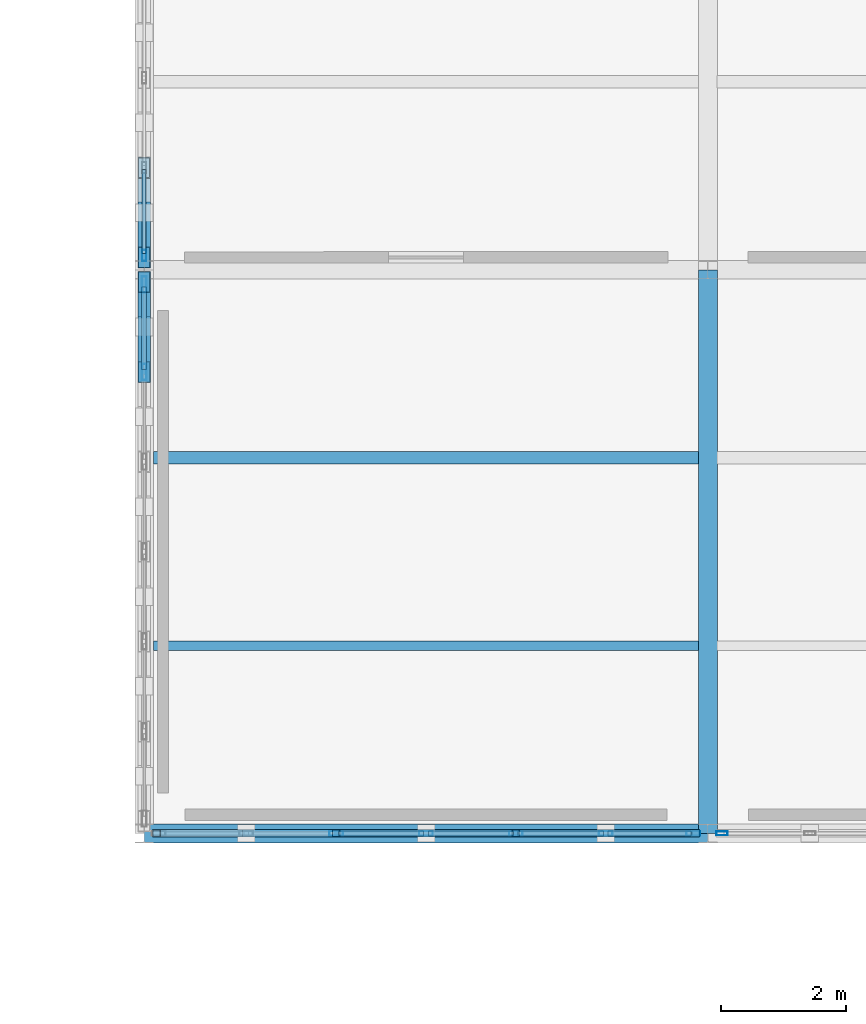
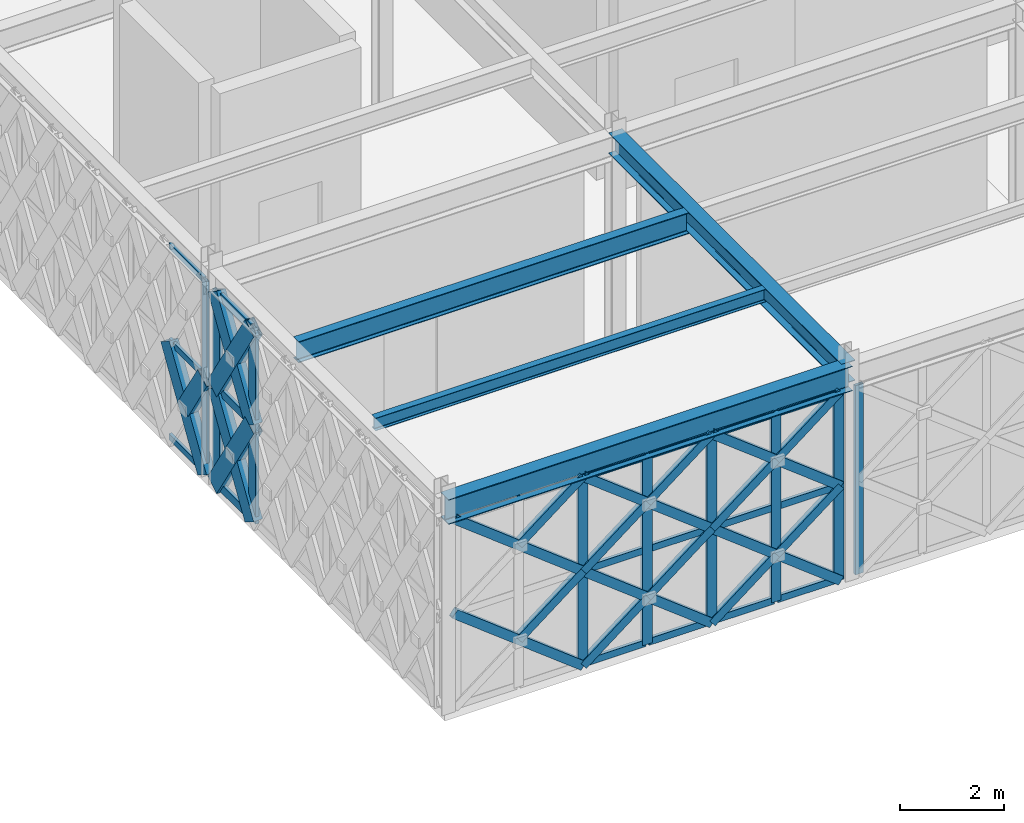
# One storey, part 78 of 155: 51 members, 4 beams, 4 elements without a shape of their own.
"""IFC4 building model written with IfcOpenShell, lengths in metres."""

from ifc_helpers import new_model, si_unit, direction, frame, origin, origin_2d, place, context, subcontext, project, spatial, hollow_rectangle, i_section, extrude, material, material_profile, profile_set, type_object, element, aggregate, save


model = new_model("IFC4")

# Units and contexts
model_context = context("Model", 3, precision=1e-05, world=origin(), true_north=direction((0.0, 1.0)))
body_context = subcontext(model_context, "Body", "Model", "MODEL_VIEW")
ifc_project = project(units=[si_unit("LENGTHUNIT", "METRE"), si_unit("AREAUNIT", "SQUARE_METRE"), si_unit("VOLUMEUNIT", "CUBIC_METRE"), si_unit("PLANEANGLEUNIT", "RADIAN"), si_unit("MASSUNIT", "GRAM", prefix="KILO")], contexts=[model_context])

# Site, building, storey
site_placement = place(None, origin())
site = spatial("IfcSite", under=ifc_project, at=site_placement, CompositionType="ELEMENT")
building_placement = place(site_placement, origin())
building = spatial("IfcBuilding", under=site, at=building_placement, Name="Haizhuo Lancet Aquarium", CompositionType="ELEMENT")
storey_placement = place(building_placement, frame((0.0, 0.0, 10.800048828125)))
storey = spatial("IfcBuildingStorey", under=building, at=storey_placement, Name="L02", CompositionType="ELEMENT", Elevation=10.800048828125)

# Beams
ifc_material_1 = material(Name="Steel S355", Category="steel")
ifc_material_profile_1 = material_profile(ifc_material_1, i_section(OverallWidth=0.300048828125, OverallDepth=0.488037109375, WebThickness=0.010986328125, FlangeThickness=0.01806640625, FilletRadius=0.02392578125, at=origin_2d()), Name="HM 488x300x11x18")
ifc_profile_set_1 = profile_set([ifc_material_profile_1], Name="Steel S355")
beam_type_1 = type_object("IfcBeamType", Name="BM-ST-HM488", PredefinedType="BEAM", material=ifc_profile_set_1)
beam_1_placement = place(storey_placement, frame((45.0, 9.0, 4.805908203125), z_axis=(0.0, 1.0, 0.0), x_axis=(-1.0, 0.0, 0.0)))
element("IfcBeam", 1, at=beam_1_placement, inside=storey, type_object=beam_type_1, Name="L02 V7 primary girder BM-L02-V7-008", PredefinedType="BEAM", context=body_context, shape_type="SweptSolid", body=[
    extrude(i_section(OverallWidth=0.300048828125, OverallDepth=0.488037109375, WebThickness=0.010986328125, FlangeThickness=0.01806640625, FilletRadius=0.02392578125, at=origin_2d()), origin(), (0.0, 0.0, 1.0), 9.0),
])
ifc_material_profile_2 = material_profile(ifc_material_1, i_section(OverallWidth=0.300048828125, OverallDepth=0.587890625, WebThickness=0.011962890625, FlangeThickness=0.02001953125, FilletRadius=0.02587890625, at=origin_2d()), Name="HM 588x300x12x20")
ifc_profile_set_2 = profile_set([ifc_material_profile_2], Name="Steel S355")
beam_type_2 = type_object("IfcBeamType", Name="BM-ST-HM588", PredefinedType="BEAM", material=ifc_profile_set_2)
beam_2_placement = place(storey_placement, frame((36.0, 9.0, 4.755859375), z_axis=(1.0, 0.0, 0.0), x_axis=(0.0, 1.0, 0.0)))
element("IfcBeam", 2, at=beam_2_placement, inside=storey, type_object=beam_type_2, Name="L02 V7 primary girder BM-L02-V7-002", PredefinedType="BEAM", context=body_context, shape_type="SweptSolid", body=[
    extrude(i_section(OverallWidth=0.300048828125, OverallDepth=0.587890625, WebThickness=0.011962890625, FlangeThickness=0.02001953125, FilletRadius=0.02587890625, at=origin_2d()), origin(), (0.0, 0.0, 1.0), 9.0),
])

# Curtain wall, member
ifc_material_2 = material(Name="Aluminium 6063-T6", Category="aluminium")
curtain_wall_type_1 = type_object("IfcCurtainWallType", Name="CWO-8610x4460", PredefinedType="NOTDEFINED", material=ifc_material_2)
curtain_wall_1_placement = place(storey_placement, origin())
curtain_wall_1 = element("IfcCurtainWall", 3, at=curtain_wall_1_placement, inside=storey, type_object=curtain_wall_type_1, Name="L02 curtain wall CW-V7-L02-307", PredefinedType="NOTDEFINED")
ifc_material_profile_3 = material_profile(ifc_material_2, hollow_rectangle(XDim=0.06494140625, YDim=0.179931640625, WallThickness=0.00390625, at=origin_2d()), Name="ALU-M 65x180x4")
ifc_profile_set_3 = profile_set([ifc_material_profile_3], Name="Aluminium 6063-T6")
member_type_1 = type_object("IfcMemberType", Name="CW-MUL-1", PredefinedType="MULLION", material=ifc_profile_set_3)
member_1_placement = place(storey_placement, frame((45.22705078125, 9.0, 0.0), z_axis=(0.0, 0.0, 1.0), x_axis=(0.0, -1.0, 0.0)))
member_1 = element("IfcMember", 4, at=member_1_placement, type_object=member_type_1, Name="CWO-86x44 mullion 7", PredefinedType="MULLION", context=body_context, shape_type="SweptSolid", body=[
    extrude(hollow_rectangle(XDim=0.06494140625, YDim=0.179931640625, WallThickness=0.00390625, at=origin_2d()), origin(), (0.0, 0.0, 1.0), 4.4619140625),
])
aggregate(curtain_wall_1, [member_1])

curtain_wall_type_2 = type_object("IfcCurtainWallType", Name="CWD-8610x4560", PredefinedType="NOTDEFINED", material=ifc_material_2)
curtain_wall_2_placement = place(storey_placement, origin())
curtain_wall_2 = element("IfcCurtainWall", 5, at=curtain_wall_2_placement, inside=storey, type_object=curtain_wall_type_2, Name="L02 curtain wall CW-V7-L02-310", PredefinedType="NOTDEFINED")
member_2_placement = place(storey_placement, frame((36.0, 18.22705078125, 0.0), z_axis=(0.0, 0.0, 1.0), x_axis=(-1.0, 0.0, 0.0)))
member_2 = element("IfcMember", 6, at=member_2_placement, type_object=member_type_1, Name="CWD-86x45 mullion 1", PredefinedType="MULLION", context=body_context, shape_type="SweptSolid", body=[
    extrude(hollow_rectangle(XDim=0.06494140625, YDim=0.179931640625, WallThickness=0.00390625, at=origin_2d()), origin(), (0.0, 0.0, 1.0), 4.56201171875),
])

# Curtain wall, members
curtain_wall_3_placement = place(storey_placement, origin())
curtain_wall_3 = element("IfcCurtainWall", 7, at=curtain_wall_3_placement, inside=storey, type_object=curtain_wall_type_1, Name="L02 curtain wall CW-V7-L02-308", PredefinedType="NOTDEFINED")
ifc_material_profile_4 = material_profile(ifc_material_2, hollow_rectangle(XDim=0.074951171875, YDim=0.219970703125, WallThickness=0.0048828125, at=origin_2d()), Name="ALU-M 75x220x5")
ifc_profile_set_4 = profile_set([ifc_material_profile_4], Name="Aluminium 6063-T6")
member_type_2 = type_object("IfcMemberType", Name="CW-MUL-2", PredefinedType="MULLION", material=ifc_profile_set_4)
member_3_placement = place(storey_placement, frame((44.76708984375, 9.0, 0.0), z_axis=(0.0, 0.0, 1.0), x_axis=(0.0, -1.0, 0.0)))
member_3 = element("IfcMember", 8, at=member_3_placement, type_object=member_type_2, Name="CWO-86x44 mullion 1", PredefinedType="MULLION", context=body_context, shape_type="SweptSolid", body=[
    extrude(hollow_rectangle(XDim=0.074951171875, YDim=0.219970703125, WallThickness=0.0048828125, at=origin_2d()), origin(), (0.0, 0.0, 1.0), 4.4619140625),
])
member_4_placement = place(storey_placement, frame((43.3701171875, 9.0, 0.0), z_axis=(0.0, 0.0, 1.0), x_axis=(0.0, -1.0, 0.0)))
member_4 = element("IfcMember", 9, at=member_4_placement, type_object=member_type_2, Name="CWO-86x44 mullion 2", PredefinedType="MULLION", context=body_context, shape_type="SweptSolid", body=[
    extrude(hollow_rectangle(XDim=0.074951171875, YDim=0.219970703125, WallThickness=0.0048828125, at=origin_2d()), origin(), (0.0, 0.0, 1.0), 4.4619140625),
])
member_5_placement = place(storey_placement, frame((41.93505859375, 9.0, 0.0), z_axis=(0.0, 0.0, 1.0), x_axis=(0.0, -1.0, 0.0)))
member_5 = element("IfcMember", 10, at=member_5_placement, type_object=member_type_2, Name="CWO-86x44 mullion 3", PredefinedType="MULLION", context=body_context, shape_type="SweptSolid", body=[
    extrude(hollow_rectangle(XDim=0.074951171875, YDim=0.219970703125, WallThickness=0.0048828125, at=origin_2d()), origin(), (0.0, 0.0, 1.0), 4.4619140625),
])
member_6_placement = place(storey_placement, frame((40.5, 9.0, 0.0), z_axis=(0.0, 0.0, 1.0), x_axis=(0.0, -1.0, 0.0)))
member_6 = element("IfcMember", 11, at=member_6_placement, type_object=member_type_2, Name="CWO-86x44 mullion 4", PredefinedType="MULLION", context=body_context, shape_type="SweptSolid", body=[
    extrude(hollow_rectangle(XDim=0.074951171875, YDim=0.219970703125, WallThickness=0.0048828125, at=origin_2d()), origin(), (0.0, 0.0, 1.0), 4.4619140625),
])
member_7_placement = place(storey_placement, frame((39.06494140625, 9.0, 0.0), z_axis=(0.0, 0.0, 1.0), x_axis=(0.0, -1.0, 0.0)))
member_7 = element("IfcMember", 12, at=member_7_placement, type_object=member_type_2, Name="CWO-86x44 mullion 5", PredefinedType="MULLION", context=body_context, shape_type="SweptSolid", body=[
    extrude(hollow_rectangle(XDim=0.074951171875, YDim=0.219970703125, WallThickness=0.0048828125, at=origin_2d()), origin(), (0.0, 0.0, 1.0), 4.4619140625),
])

curtain_wall_4_placement = place(storey_placement, origin())
curtain_wall_4 = element("IfcCurtainWall", 13, at=curtain_wall_4_placement, inside=storey, type_object=curtain_wall_type_2, Name="L02 curtain wall CW-V7-L02-309", PredefinedType="NOTDEFINED")
ifc_material_profile_5 = material_profile(ifc_material_2, hollow_rectangle(XDim=0.080078125, YDim=0.260009765625, WallThickness=0.0048828125, at=origin_2d()), Name="ALU-M 80x260x5")
ifc_profile_set_5 = profile_set([ifc_material_profile_5], Name="Aluminium 6063-T6")
member_type_3 = type_object("IfcMemberType", Name="CW-MUL-3", PredefinedType="MULLION", material=ifc_profile_set_5)
member_8_placement = place(storey_placement, frame((36.0, 16.3701171875, 0.0), z_axis=(0.0, 0.0, 1.0), x_axis=(-1.0, 0.0, 0.0)))
member_8 = element("IfcMember", 14, at=member_8_placement, type_object=member_type_3, Name="CWD-86x45 mullion 6", PredefinedType="MULLION", context=body_context, shape_type="SweptSolid", body=[
    extrude(hollow_rectangle(XDim=0.080078125, YDim=0.260009765625, WallThickness=0.0048828125, at=origin_2d()), origin(), (0.0, 0.0, 1.0), 4.56201171875),
])
member_9_placement = place(storey_placement, frame((36.0, 17.764892578125, 0.0), z_axis=(0.0, 0.0, 1.0), x_axis=(-1.0, 0.0, 0.0)))
member_9 = element("IfcMember", 15, at=member_9_placement, type_object=member_type_3, Name="CWD-86x45 mullion 7", PredefinedType="MULLION", context=body_context, shape_type="SweptSolid", body=[
    extrude(hollow_rectangle(XDim=0.080078125, YDim=0.260009765625, WallThickness=0.0048828125, at=origin_2d()), origin(), (0.0, 0.0, 1.0), 4.56201171875),
])

# Member
ifc_material_profile_6 = material_profile(ifc_material_2, hollow_rectangle(XDim=0.06494140625, YDim=0.139892578125, WallThickness=0.00390625, at=origin_2d()), Name="ALU-T 65x140x4")
ifc_profile_set_6 = profile_set([ifc_material_profile_6], Name="Aluminium 6063-T6")
member_type_4 = type_object("IfcMemberType", Name="CW-TRN-1", PredefinedType="NOTDEFINED", material=ifc_profile_set_6)
member_10_placement = place(storey_placement, frame((36.0, 18.260009765625, 0.032958984375), z_axis=(0.0, 1.0, 0.0), x_axis=(-1.0, 0.0, 0.0)))
member_10 = element("IfcMember", 16, at=member_10_placement, type_object=member_type_4, Name="CWD-86x45 transom 1.1", ObjectType="TRANSOM", PredefinedType="USERDEFINED", context=body_context, shape_type="SweptSolid", body=[
    extrude(hollow_rectangle(XDim=0.06494140625, YDim=0.139892578125, WallThickness=0.00390625, at=origin_2d()), origin(), (0.0, 0.0, 1.0), 1.337890625),
])

member_11_placement = place(storey_placement, frame((36.0, 18.260009765625, 2.281005859375), z_axis=(0.0, 1.0, 0.0), x_axis=(-1.0, 0.0, 0.0)))
member_11 = element("IfcMember", 17, at=member_11_placement, type_object=member_type_4, Name="CWD-86x45 transom 1.2", ObjectType="TRANSOM", PredefinedType="USERDEFINED", context=body_context, shape_type="SweptSolid", body=[
    extrude(hollow_rectangle(XDim=0.06494140625, YDim=0.139892578125, WallThickness=0.00390625, at=origin_2d()), origin(), (0.0, 0.0, 1.0), 1.337890625),
])

member_12_placement = place(storey_placement, frame((36.0, 18.260009765625, 4.529052734375), z_axis=(0.0, 1.0, 0.0), x_axis=(-1.0, 0.0, 0.0)))
member_12 = element("IfcMember", 18, at=member_12_placement, type_object=member_type_4, Name="CWD-86x45 transom 1.3", ObjectType="TRANSOM", PredefinedType="USERDEFINED", context=body_context, shape_type="SweptSolid", body=[
    extrude(hollow_rectangle(XDim=0.06494140625, YDim=0.139892578125, WallThickness=0.00390625, at=origin_2d()), origin(), (0.0, 0.0, 1.0), 1.337890625),
])

aggregate(curtain_wall_2, [member_2, member_10, member_11, member_12])

ifc_material_profile_7 = material_profile(ifc_material_2, hollow_rectangle(XDim=0.074951171875, YDim=0.159912109375, WallThickness=0.00390625, at=origin_2d()), Name="ALU-T 75x160x4")
ifc_profile_set_7 = profile_set([ifc_material_profile_7], Name="Aluminium 6063-T6")
member_type_5 = type_object("IfcMemberType", Name="CW-TRN-2", PredefinedType="NOTDEFINED", material=ifc_profile_set_7)
member_13_placement = place(storey_placement, frame((44.72998046875, 9.0, 0.037841796875), z_axis=(-1.0, 0.0, 0.0), x_axis=(0.0, -1.0, 0.0)))
member_13 = element("IfcMember", 19, at=member_13_placement, type_object=member_type_5, Name="CWO-86x44 transom 1.1", ObjectType="TRANSOM", PredefinedType="USERDEFINED", context=body_context, shape_type="SweptSolid", body=[
    extrude(hollow_rectangle(XDim=0.074951171875, YDim=0.159912109375, WallThickness=0.00390625, at=origin_2d()), origin(), (0.0, 0.0, 1.0), 1.322998046875),
])

member_14_placement = place(storey_placement, frame((44.72998046875, 9.0, 2.23095703125), z_axis=(-1.0, 0.0, 0.0), x_axis=(0.0, -1.0, 0.0)))
member_14 = element("IfcMember", 20, at=member_14_placement, type_object=member_type_5, Name="CWO-86x44 transom 1.2", ObjectType="TRANSOM", PredefinedType="USERDEFINED", context=body_context, shape_type="SweptSolid", body=[
    extrude(hollow_rectangle(XDim=0.074951171875, YDim=0.159912109375, WallThickness=0.00390625, at=origin_2d()), origin(), (0.0, 0.0, 1.0), 1.322998046875),
])

member_15_placement = place(storey_placement, frame((44.72998046875, 9.0, 4.425048828125), z_axis=(-1.0, 0.0, 0.0), x_axis=(0.0, -1.0, 0.0)))
member_15 = element("IfcMember", 21, at=member_15_placement, type_object=member_type_5, Name="CWO-86x44 transom 1.3", ObjectType="TRANSOM", PredefinedType="USERDEFINED", context=body_context, shape_type="SweptSolid", body=[
    extrude(hollow_rectangle(XDim=0.074951171875, YDim=0.159912109375, WallThickness=0.00390625, at=origin_2d()), origin(), (0.0, 0.0, 1.0), 1.322998046875),
])

member_16_placement = place(storey_placement, frame((43.3330078125, 9.0, 0.037841796875), z_axis=(-1.0, 0.0, 0.0), x_axis=(0.0, -1.0, 0.0)))
member_16 = element("IfcMember", 22, at=member_16_placement, type_object=member_type_5, Name="CWO-86x44 transom 2.1", ObjectType="TRANSOM", PredefinedType="USERDEFINED", context=body_context, shape_type="SweptSolid", body=[
    extrude(hollow_rectangle(XDim=0.074951171875, YDim=0.159912109375, WallThickness=0.00390625, at=origin_2d()), origin(), (0.0, 0.0, 1.0), 1.361083984375),
])

member_17_placement = place(storey_placement, frame((43.3330078125, 9.0, 2.23095703125), z_axis=(-1.0, 0.0, 0.0), x_axis=(0.0, -1.0, 0.0)))
member_17 = element("IfcMember", 23, at=member_17_placement, type_object=member_type_5, Name="CWO-86x44 transom 2.2", ObjectType="TRANSOM", PredefinedType="USERDEFINED", context=body_context, shape_type="SweptSolid", body=[
    extrude(hollow_rectangle(XDim=0.074951171875, YDim=0.159912109375, WallThickness=0.00390625, at=origin_2d()), origin(), (0.0, 0.0, 1.0), 1.361083984375),
])

member_18_placement = place(storey_placement, frame((43.3330078125, 9.0, 4.425048828125), z_axis=(-1.0, 0.0, 0.0), x_axis=(0.0, -1.0, 0.0)))
member_18 = element("IfcMember", 24, at=member_18_placement, type_object=member_type_5, Name="CWO-86x44 transom 2.3", ObjectType="TRANSOM", PredefinedType="USERDEFINED", context=body_context, shape_type="SweptSolid", body=[
    extrude(hollow_rectangle(XDim=0.074951171875, YDim=0.159912109375, WallThickness=0.00390625, at=origin_2d()), origin(), (0.0, 0.0, 1.0), 1.361083984375),
])

member_19_placement = place(storey_placement, frame((41.89794921875, 9.0, 0.037841796875), z_axis=(-1.0, 0.0, 0.0), x_axis=(0.0, -1.0, 0.0)))
member_19 = element("IfcMember", 25, at=member_19_placement, type_object=member_type_5, Name="CWO-86x44 transom 3.1", ObjectType="TRANSOM", PredefinedType="USERDEFINED", context=body_context, shape_type="SweptSolid", body=[
    extrude(hollow_rectangle(XDim=0.074951171875, YDim=0.159912109375, WallThickness=0.00390625, at=origin_2d()), origin(), (0.0, 0.0, 1.0), 1.35986328125),
])

member_20_placement = place(storey_placement, frame((41.89794921875, 9.0, 2.23095703125), z_axis=(-1.0, 0.0, 0.0), x_axis=(0.0, -1.0, 0.0)))
member_20 = element("IfcMember", 26, at=member_20_placement, type_object=member_type_5, Name="CWO-86x44 transom 3.2", ObjectType="TRANSOM", PredefinedType="USERDEFINED", context=body_context, shape_type="SweptSolid", body=[
    extrude(hollow_rectangle(XDim=0.074951171875, YDim=0.159912109375, WallThickness=0.00390625, at=origin_2d()), origin(), (0.0, 0.0, 1.0), 1.35986328125),
])

member_21_placement = place(storey_placement, frame((41.89794921875, 9.0, 4.425048828125), z_axis=(-1.0, 0.0, 0.0), x_axis=(0.0, -1.0, 0.0)))
member_21 = element("IfcMember", 27, at=member_21_placement, type_object=member_type_5, Name="CWO-86x44 transom 3.3", ObjectType="TRANSOM", PredefinedType="USERDEFINED", context=body_context, shape_type="SweptSolid", body=[
    extrude(hollow_rectangle(XDim=0.074951171875, YDim=0.159912109375, WallThickness=0.00390625, at=origin_2d()), origin(), (0.0, 0.0, 1.0), 1.35986328125),
])

member_22_placement = place(storey_placement, frame((40.4619140625, 9.0, 0.037841796875), z_axis=(-1.0, 0.0, 0.0), x_axis=(0.0, -1.0, 0.0)))
member_22 = element("IfcMember", 28, at=member_22_placement, type_object=member_type_5, Name="CWO-86x44 transom 4.1", ObjectType="TRANSOM", PredefinedType="USERDEFINED", context=body_context, shape_type="SweptSolid", body=[
    extrude(hollow_rectangle(XDim=0.074951171875, YDim=0.159912109375, WallThickness=0.00390625, at=origin_2d()), origin(), (0.0, 0.0, 1.0), 1.35986328125),
])

member_23_placement = place(storey_placement, frame((40.4619140625, 9.0, 2.23095703125), z_axis=(-1.0, 0.0, 0.0), x_axis=(0.0, -1.0, 0.0)))
member_23 = element("IfcMember", 29, at=member_23_placement, type_object=member_type_5, Name="CWO-86x44 transom 4.2", ObjectType="TRANSOM", PredefinedType="USERDEFINED", context=body_context, shape_type="SweptSolid", body=[
    extrude(hollow_rectangle(XDim=0.074951171875, YDim=0.159912109375, WallThickness=0.00390625, at=origin_2d()), origin(), (0.0, 0.0, 1.0), 1.35986328125),
])

member_24_placement = place(storey_placement, frame((40.4619140625, 9.0, 4.425048828125), z_axis=(-1.0, 0.0, 0.0), x_axis=(0.0, -1.0, 0.0)))
member_24 = element("IfcMember", 30, at=member_24_placement, type_object=member_type_5, Name="CWO-86x44 transom 4.3", ObjectType="TRANSOM", PredefinedType="USERDEFINED", context=body_context, shape_type="SweptSolid", body=[
    extrude(hollow_rectangle(XDim=0.074951171875, YDim=0.159912109375, WallThickness=0.00390625, at=origin_2d()), origin(), (0.0, 0.0, 1.0), 1.35986328125),
])

aggregate(curtain_wall_3, [member_3, member_4, member_5, member_6, member_7, member_13, member_14, member_15, member_16, member_17, member_18, member_19, member_20, member_21, member_22, member_23, member_24])

ifc_material_profile_8 = material_profile(ifc_material_2, hollow_rectangle(XDim=0.080078125, YDim=0.18994140625, WallThickness=0.0048828125, at=origin_2d()), Name="ALU-T 80x190x5")
ifc_profile_set_8 = profile_set([ifc_material_profile_8], Name="Aluminium 6063-T6")
member_type_6 = type_object("IfcMemberType", Name="CW-TRN-3", PredefinedType="NOTDEFINED", material=ifc_profile_set_8)
member_25_placement = place(storey_placement, frame((36.0, 16.409912109375, 0.0400390625), z_axis=(0.0, 1.0, 0.0), x_axis=(-1.0, 0.0, 0.0)))
member_25 = element("IfcMember", 31, at=member_25_placement, type_object=member_type_6, Name="CWD-86x45 transom 6.1", ObjectType="TRANSOM", PredefinedType="USERDEFINED", context=body_context, shape_type="SweptSolid", body=[
    extrude(hollow_rectangle(XDim=0.080078125, YDim=0.18994140625, WallThickness=0.0048828125, at=origin_2d()), origin(), (0.0, 0.0, 1.0), 1.315185546875),
])

member_26_placement = place(storey_placement, frame((36.0, 16.409912109375, 2.281005859375), z_axis=(0.0, 1.0, 0.0), x_axis=(-1.0, 0.0, 0.0)))
member_26 = element("IfcMember", 32, at=member_26_placement, type_object=member_type_6, Name="CWD-86x45 transom 6.2", ObjectType="TRANSOM", PredefinedType="USERDEFINED", context=body_context, shape_type="SweptSolid", body=[
    extrude(hollow_rectangle(XDim=0.080078125, YDim=0.18994140625, WallThickness=0.0048828125, at=origin_2d()), origin(), (0.0, 0.0, 1.0), 1.315185546875),
])

member_27_placement = place(storey_placement, frame((36.0, 16.409912109375, 4.52197265625), z_axis=(0.0, 1.0, 0.0), x_axis=(-1.0, 0.0, 0.0)))
member_27 = element("IfcMember", 33, at=member_27_placement, type_object=member_type_6, Name="CWD-86x45 transom 6.3", ObjectType="TRANSOM", PredefinedType="USERDEFINED", context=body_context, shape_type="SweptSolid", body=[
    extrude(hollow_rectangle(XDim=0.080078125, YDim=0.18994140625, WallThickness=0.0048828125, at=origin_2d()), origin(), (0.0, 0.0, 1.0), 1.315185546875),
])

aggregate(curtain_wall_4, [member_8, member_9, member_25, member_26, member_27])

# Beams
ifc_material_profile_9 = material_profile(ifc_material_1, i_section(OverallWidth=0.14990234375, OverallDepth=0.300048828125, WebThickness=0.006591796875, FlangeThickness=0.009033203125, FilletRadius=0.012939453125, at=origin_2d()), Name="HN 300x150x6.5x9")
ifc_profile_set_9 = profile_set([ifc_material_profile_9], Name="Steel S355")
beam_type_3 = type_object("IfcBeamType", Name="JST-ST-HN300", PredefinedType="JOIST", material=ifc_profile_set_9)
beam_3_placement = place(storey_placement, frame((36.14990234375, 12.0, 4.89990234375), z_axis=(1.0, 0.0, 0.0), x_axis=(0.0, 1.0, 0.0)))
element("IfcBeam", 34, at=beam_3_placement, inside=storey, type_object=beam_type_3, Name="L02 V7 secondary floor joist 1", PredefinedType="JOIST", context=body_context, shape_type="SweptSolid", body=[
    extrude(i_section(OverallWidth=0.14990234375, OverallDepth=0.300048828125, WebThickness=0.006591796875, FlangeThickness=0.009033203125, FilletRadius=0.012939453125, at=origin_2d()), origin(), (0.0, 0.0, 1.0), 8.7001953125),
])
ifc_material_profile_10 = material_profile(ifc_material_1, i_section(OverallWidth=0.199951171875, OverallDepth=0.5, WebThickness=0.010009765625, FlangeThickness=0.01611328125, FilletRadius=0.02001953125, at=origin_2d()), Name="HN 500x200x10x16")
ifc_profile_set_10 = profile_set([ifc_material_profile_10], Name="Steel S355")
beam_type_4 = type_object("IfcBeamType", Name="JST-ST-HN500", PredefinedType="JOIST", material=ifc_profile_set_10)
beam_4_placement = place(storey_placement, frame((36.14990234375, 15.0, 4.800048828125), z_axis=(1.0, 0.0, 0.0), x_axis=(0.0, 1.0, 0.0)))
element("IfcBeam", 35, at=beam_4_placement, inside=storey, type_object=beam_type_4, Name="L02 V7 secondary floor joist 2", PredefinedType="JOIST", context=body_context, shape_type="SweptSolid", body=[
    extrude(i_section(OverallWidth=0.199951171875, OverallDepth=0.5, WebThickness=0.010009765625, FlangeThickness=0.01611328125, FilletRadius=0.02001953125, at=origin_2d()), origin(), (0.0, 0.0, 1.0), 8.7001953125),
])

# Members
ifc_material_profile_11 = material_profile(ifc_material_1, hollow_rectangle(XDim=0.1201171875, YDim=0.199951171875, WallThickness=0.008056640625, at=origin_2d()), Name="RHS 120x200x8")
ifc_profile_set_11 = profile_set([ifc_material_profile_11], Name="Steel S355")
member_type_7 = type_object("IfcMemberType", Name="MEM-LB-RHS120x200", PredefinedType="BRACE", material=ifc_profile_set_11)
member_28_placement = place(storey_placement, frame((44.804931640625, 9.0, 0.0), z_axis=(-0.789507701538, 0.0, 0.613740653055), x_axis=(0.0, -1.0, 0.0)))
element("IfcMember", 36, at=member_28_placement, inside=storey, type_object=member_type_7, Name="Gothic lancet continuous diagonal brace CW-V7-L02-308 1A", PredefinedType="BRACE", context=body_context, shape_type="SweptSolid", body=[
    extrude(hollow_rectangle(XDim=0.1201171875, YDim=0.199951171875, WallThickness=0.008056640625, at=origin_2d()), origin(), (0.0, 0.0, 1.0), 3.635009765625),
])
member_29_placement = place(storey_placement, frame((41.93505859375, 9.0, 0.0), z_axis=(0.789402834657, 0.0, 0.613875528618), x_axis=(0.0, 1.0, 0.0)))
element("IfcMember", 37, at=member_29_placement, inside=storey, type_object=member_type_7, Name="Gothic lancet split diagonal brace CW-V7-L02-308 1B1", PredefinedType="BRACE", context=body_context, shape_type="SweptSolid", body=[
    extrude(hollow_rectangle(XDim=0.1201171875, YDim=0.199951171875, WallThickness=0.008056640625, at=origin_2d()), origin(), (0.0, 0.0, 1.0), 1.81787109375),
])
member_30_placement = place(storey_placement, frame((43.3701171875, 9.0, 1.115966796875), z_axis=(0.789612591073, 0.0, 0.613605700771), x_axis=(0.0, 1.0, 0.0)))
element("IfcMember", 38, at=member_30_placement, inside=storey, type_object=member_type_7, Name="Gothic lancet split diagonal brace CW-V7-L02-308 1B2", PredefinedType="BRACE", context=body_context, shape_type="SweptSolid", body=[
    extrude(hollow_rectangle(XDim=0.1201171875, YDim=0.199951171875, WallThickness=0.008056640625, at=origin_2d()), origin(), (0.0, 0.0, 1.0), 1.817138671875),
])
member_31_placement = place(storey_placement, frame((44.804931640625, 9.0, 2.23095703125), z_axis=(-0.789507701538, 0.0, 0.613740653055), x_axis=(0.0, -1.0, 0.0)))
element("IfcMember", 39, at=member_31_placement, inside=storey, type_object=member_type_7, Name="Gothic lancet continuous diagonal brace CW-V7-L02-308 2A", PredefinedType="BRACE", context=body_context, shape_type="SweptSolid", body=[
    extrude(hollow_rectangle(XDim=0.1201171875, YDim=0.199951171875, WallThickness=0.008056640625, at=origin_2d()), origin(), (0.0, 0.0, 1.0), 3.635009765625),
])
member_32_placement = place(storey_placement, frame((41.93505859375, 9.0, 2.23095703125), z_axis=(0.789663169817, 0.0, 0.613540608464), x_axis=(0.0, 1.0, 0.0)))
element("IfcMember", 40, at=member_32_placement, inside=storey, type_object=member_type_7, Name="Gothic lancet split diagonal brace CW-V7-L02-308 2B1", PredefinedType="BRACE", context=body_context, shape_type="SweptSolid", body=[
    extrude(hollow_rectangle(XDim=0.1201171875, YDim=0.199951171875, WallThickness=0.008056640625, at=origin_2d()), origin(), (0.0, 0.0, 1.0), 1.8173828125),
])
member_33_placement = place(storey_placement, frame((43.3701171875, 9.0, 3.345947265625), z_axis=(0.789352217376, 0.0, 0.613940613515), x_axis=(0.0, 1.0, 0.0)))
element("IfcMember", 41, at=member_33_placement, inside=storey, type_object=member_type_7, Name="Gothic lancet split diagonal brace CW-V7-L02-308 2B2", PredefinedType="BRACE", context=body_context, shape_type="SweptSolid", body=[
    extrude(hollow_rectangle(XDim=0.1201171875, YDim=0.199951171875, WallThickness=0.008056640625, at=origin_2d()), origin(), (0.0, 0.0, 1.0), 1.817626953125),
])
member_34_placement = place(storey_placement, frame((41.93505859375, 9.0, 0.0), z_axis=(-0.789532998536, 0.0, 0.613708109954), x_axis=(0.0, -1.0, 0.0)))
element("IfcMember", 42, at=member_34_placement, inside=storey, type_object=member_type_7, Name="Gothic lancet continuous diagonal brace CW-V7-L02-308 3A", PredefinedType="BRACE", context=body_context, shape_type="SweptSolid", body=[
    extrude(hollow_rectangle(XDim=0.1201171875, YDim=0.199951171875, WallThickness=0.008056640625, at=origin_2d()), origin(), (0.0, 0.0, 1.0), 3.63525390625),
])
member_35_placement = place(storey_placement, frame((39.06494140625, 9.0, 0.0), z_axis=(0.789402834657, 0.0, 0.613875528618), x_axis=(0.0, 1.0, 0.0)))
element("IfcMember", 43, at=member_35_placement, inside=storey, type_object=member_type_7, Name="Gothic lancet split diagonal brace CW-V7-L02-308 3B1", PredefinedType="BRACE", context=body_context, shape_type="SweptSolid", body=[
    extrude(hollow_rectangle(XDim=0.1201171875, YDim=0.199951171875, WallThickness=0.008056640625, at=origin_2d()), origin(), (0.0, 0.0, 1.0), 1.81787109375),
])
member_36_placement = place(storey_placement, frame((40.5, 9.0, 1.115966796875), z_axis=(0.789663169817, 0.0, 0.613540608464), x_axis=(0.0, 1.0, 0.0)))
element("IfcMember", 44, at=member_36_placement, inside=storey, type_object=member_type_7, Name="Gothic lancet split diagonal brace CW-V7-L02-308 3B2", PredefinedType="BRACE", context=body_context, shape_type="SweptSolid", body=[
    extrude(hollow_rectangle(XDim=0.1201171875, YDim=0.199951171875, WallThickness=0.008056640625, at=origin_2d()), origin(), (0.0, 0.0, 1.0), 1.8173828125),
])
member_37_placement = place(storey_placement, frame((41.93505859375, 9.0, 2.23095703125), z_axis=(-0.789532998536, 0.0, 0.613708109954), x_axis=(0.0, -1.0, 0.0)))
element("IfcMember", 45, at=member_37_placement, inside=storey, type_object=member_type_7, Name="Gothic lancet continuous diagonal brace CW-V7-L02-308 4A", PredefinedType="BRACE", context=body_context, shape_type="SweptSolid", body=[
    extrude(hollow_rectangle(XDim=0.1201171875, YDim=0.199951171875, WallThickness=0.008056640625, at=origin_2d()), origin(), (0.0, 0.0, 1.0), 3.63525390625),
])
member_38_placement = place(storey_placement, frame((39.06494140625, 9.0, 2.23095703125), z_axis=(0.789663169817, 0.0, 0.613540608464), x_axis=(0.0, 1.0, 0.0)))
element("IfcMember", 46, at=member_38_placement, inside=storey, type_object=member_type_7, Name="Gothic lancet split diagonal brace CW-V7-L02-308 4B1", PredefinedType="BRACE", context=body_context, shape_type="SweptSolid", body=[
    extrude(hollow_rectangle(XDim=0.1201171875, YDim=0.199951171875, WallThickness=0.008056640625, at=origin_2d()), origin(), (0.0, 0.0, 1.0), 1.8173828125),
])
member_39_placement = place(storey_placement, frame((40.5, 9.0, 3.345947265625), z_axis=(0.789402834657, 0.0, 0.613875528618), x_axis=(0.0, 1.0, 0.0)))
element("IfcMember", 47, at=member_39_placement, inside=storey, type_object=member_type_7, Name="Gothic lancet split diagonal brace CW-V7-L02-308 4B2", PredefinedType="BRACE", context=body_context, shape_type="SweptSolid", body=[
    extrude(hollow_rectangle(XDim=0.1201171875, YDim=0.199951171875, WallThickness=0.008056640625, at=origin_2d()), origin(), (0.0, 0.0, 1.0), 1.81787109375),
])
member_40_placement = place(storey_placement, frame((39.06494140625, 9.0, 0.0), z_axis=(-0.789507701538, 0.0, 0.613740653055), x_axis=(0.0, -1.0, 0.0)))
element("IfcMember", 48, at=member_40_placement, inside=storey, type_object=member_type_7, Name="Gothic lancet continuous diagonal brace CW-V7-L02-308 5A", PredefinedType="BRACE", context=body_context, shape_type="SweptSolid", body=[
    extrude(hollow_rectangle(XDim=0.1201171875, YDim=0.199951171875, WallThickness=0.008056640625, at=origin_2d()), origin(), (0.0, 0.0, 1.0), 3.635009765625),
])
member_41_placement = place(storey_placement, frame((37.6298828125, 9.0, 1.115966796875), z_axis=(0.789663169817, 0.0, 0.613540608464), x_axis=(0.0, 1.0, 0.0)))
element("IfcMember", 49, at=member_41_placement, inside=storey, type_object=member_type_7, Name="Gothic lancet split diagonal brace CW-V7-L02-308 5B2", PredefinedType="BRACE", context=body_context, shape_type="SweptSolid", body=[
    extrude(hollow_rectangle(XDim=0.1201171875, YDim=0.199951171875, WallThickness=0.008056640625, at=origin_2d()), origin(), (0.0, 0.0, 1.0), 1.8173828125),
])
member_42_placement = place(storey_placement, frame((39.06494140625, 9.0, 2.23095703125), z_axis=(-0.789507701538, 0.0, 0.613740653055), x_axis=(0.0, -1.0, 0.0)))
element("IfcMember", 50, at=member_42_placement, inside=storey, type_object=member_type_7, Name="Gothic lancet continuous diagonal brace CW-V7-L02-308 6A", PredefinedType="BRACE", context=body_context, shape_type="SweptSolid", body=[
    extrude(hollow_rectangle(XDim=0.1201171875, YDim=0.199951171875, WallThickness=0.008056640625, at=origin_2d()), origin(), (0.0, 0.0, 1.0), 3.635009765625),
])
member_43_placement = place(storey_placement, frame((37.6298828125, 9.0, 3.345947265625), z_axis=(0.789402834657, 0.0, 0.613875528618), x_axis=(0.0, 1.0, 0.0)))
element("IfcMember", 51, at=member_43_placement, inside=storey, type_object=member_type_7, Name="Gothic lancet split diagonal brace CW-V7-L02-308 6B2", PredefinedType="BRACE", context=body_context, shape_type="SweptSolid", body=[
    extrude(hollow_rectangle(XDim=0.1201171875, YDim=0.199951171875, WallThickness=0.008056640625, at=origin_2d()), origin(), (0.0, 0.0, 1.0), 1.81787109375),
])
ifc_material_profile_12 = material_profile(ifc_material_1, hollow_rectangle(XDim=0.199951171875, YDim=0.39990234375, WallThickness=0.011962890625, at=origin_2d()), Name="RHS 200x400x12")
ifc_profile_set_12 = profile_set([ifc_material_profile_12], Name="Steel S355")
member_type_8 = type_object("IfcMemberType", Name="MEM-LB-RHS200x400", PredefinedType="BRACE", material=ifc_profile_set_12)
member_44_placement = place(storey_placement, frame((36.0, 16.3701171875, 0.0), z_axis=(0.0, 0.532447977761, 0.846462728641), x_axis=(-1.0, 0.0, 0.0)))
element("IfcMember", 52, at=member_44_placement, inside=storey, type_object=member_type_8, Name="Gothic lancet continuous diagonal brace CW-V7-L02-309 11A", PredefinedType="BRACE", context=body_context, shape_type="SweptSolid", body=[
    extrude(hollow_rectangle(XDim=0.199951171875, YDim=0.39990234375, WallThickness=0.011962890625, at=origin_2d()), origin(), (0.0, 0.0, 1.0), 2.69482421875),
])
member_45_placement = place(storey_placement, frame((36.0, 17.804931640625, 0.0), z_axis=(0.0, -0.532649938865, 0.846335656006), x_axis=(1.0, 0.0, 0.0)))
element("IfcMember", 53, at=member_45_placement, inside=storey, type_object=member_type_8, Name="Gothic lancet split diagonal brace CW-V7-L02-309 11B1", PredefinedType="BRACE", context=body_context, shape_type="SweptSolid", body=[
    extrude(hollow_rectangle(XDim=0.199951171875, YDim=0.39990234375, WallThickness=0.011962890625, at=origin_2d()), origin(), (0.0, 0.0, 1.0), 1.347900390625),
])
member_46_placement = place(storey_placement, frame((36.0, 17.0869140625, 1.140869140625), z_axis=(0.0, -0.532245795857, 0.846589872838), x_axis=(1.0, 0.0, 0.0)))
element("IfcMember", 54, at=member_46_placement, inside=storey, type_object=member_type_8, Name="Gothic lancet split diagonal brace CW-V7-L02-309 11B2", PredefinedType="BRACE", context=body_context, shape_type="SweptSolid", body=[
    extrude(hollow_rectangle(XDim=0.199951171875, YDim=0.39990234375, WallThickness=0.011962890625, at=origin_2d()), origin(), (0.0, 0.0, 1.0), 1.3466796875),
])
member_47_placement = place(storey_placement, frame((36.0, 16.3701171875, 2.281005859375), z_axis=(0.0, 0.532447977761, 0.846462728641), x_axis=(-1.0, 0.0, 0.0)))
element("IfcMember", 55, at=member_47_placement, inside=storey, type_object=member_type_8, Name="Gothic lancet continuous diagonal brace CW-V7-L02-309 12A", PredefinedType="BRACE", context=body_context, shape_type="SweptSolid", body=[
    extrude(hollow_rectangle(XDim=0.199951171875, YDim=0.39990234375, WallThickness=0.011962890625, at=origin_2d()), origin(), (0.0, 0.0, 1.0), 2.69482421875),
])
member_48_placement = place(storey_placement, frame((36.0, 17.804931640625, 2.281005859375), z_axis=(0.0, -0.532976680835, 0.846129929554), x_axis=(1.0, 0.0, 0.0)))
element("IfcMember", 56, at=member_48_placement, inside=storey, type_object=member_type_8, Name="Gothic lancet split diagonal brace CW-V7-L02-309 12B1", PredefinedType="BRACE", context=body_context, shape_type="SweptSolid", body=[
    extrude(hollow_rectangle(XDim=0.199951171875, YDim=0.39990234375, WallThickness=0.011962890625, at=origin_2d()), origin(), (0.0, 0.0, 1.0), 1.34716796875),
])
member_49_placement = place(storey_placement, frame((36.0, 17.0869140625, 3.4208984375), z_axis=(0.0, -0.531919217362, 0.846795102844), x_axis=(1.0, 0.0, 0.0)))
element("IfcMember", 57, at=member_49_placement, inside=storey, type_object=member_type_8, Name="Gothic lancet split diagonal brace CW-V7-L02-309 12B2", PredefinedType="BRACE", context=body_context, shape_type="SweptSolid", body=[
    extrude(hollow_rectangle(XDim=0.199951171875, YDim=0.39990234375, WallThickness=0.011962890625, at=origin_2d()), origin(), (0.0, 0.0, 1.0), 1.34765625),
])
member_50_placement = place(storey_placement, frame((36.0, 18.195068359375, 0.0), z_axis=(0.0, 0.532447977761, 0.846462728641), x_axis=(-1.0, 0.0, 0.0)))
element("IfcMember", 58, at=member_50_placement, inside=storey, type_object=member_type_8, Name="Gothic lancet continuous diagonal brace CW-V7-L02-310 1A", PredefinedType="BRACE", context=body_context, shape_type="SweptSolid", body=[
    extrude(hollow_rectangle(XDim=0.199951171875, YDim=0.39990234375, WallThickness=0.011962890625, at=origin_2d()), origin(), (0.0, 0.0, 1.0), 2.69482421875),
])
member_51_placement = place(storey_placement, frame((36.0, 18.9130859375, 1.140869140625), z_axis=(0.0, -0.532894965217, 0.846181396656), x_axis=(1.0, 0.0, 0.0)))
element("IfcMember", 59, at=member_51_placement, inside=storey, type_object=member_type_8, Name="Gothic lancet split diagonal brace CW-V7-L02-310 1B2", PredefinedType="BRACE", context=body_context, shape_type="SweptSolid", body=[
    extrude(hollow_rectangle(XDim=0.199951171875, YDim=0.39990234375, WallThickness=0.011962890625, at=origin_2d()), origin(), (0.0, 0.0, 1.0), 1.347412109375),
])

save(model, "model.ifc")
